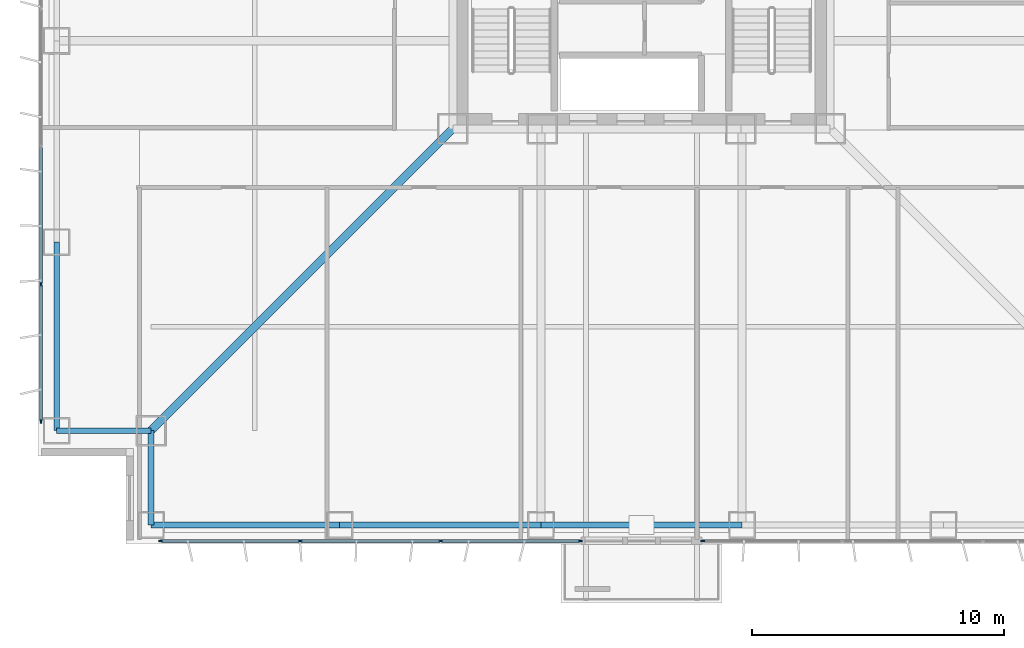
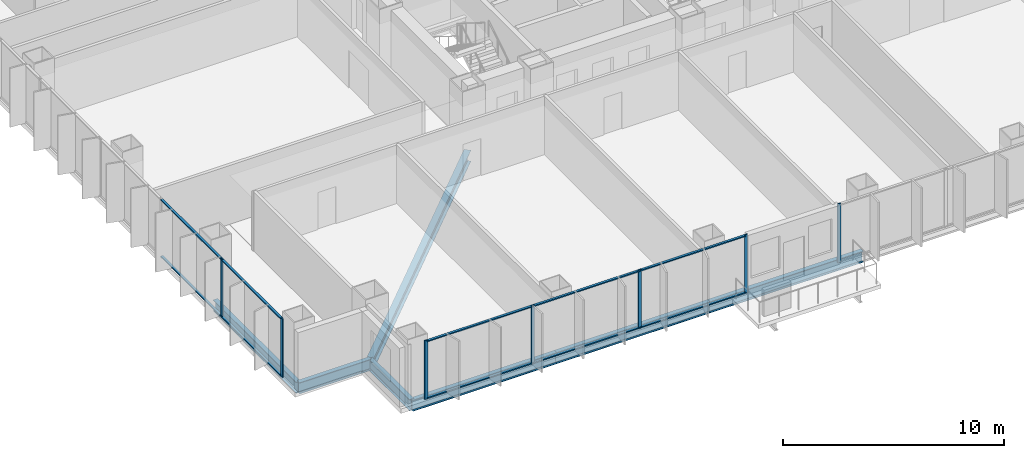
# One storey, part 2 of 21: 17 members, 7 beams, 3 elements without a shape of their own.
"""IFC4 building model written with IfcOpenShell, lengths in metres."""

from ifc_helpers import new_model, si_unit, direction, frame, origin, origin_2d, place, context, subcontext, project, spatial, rectangle, i_section, extrude, material, layer, layer_set, material_profile, profile_set, type_object, element, aggregate, save


model = new_model("IFC4")

# Units and contexts
model_context = context("Model", 3, precision=1e-05, world=origin(), true_north=direction((0.0, 1.0)))
body_context = subcontext(model_context, "Body", "Model", "MODEL_VIEW")
ifc_project = project(units=[si_unit("LENGTHUNIT", "METRE"), si_unit("AREAUNIT", "SQUARE_METRE"), si_unit("VOLUMEUNIT", "CUBIC_METRE"), si_unit("PLANEANGLEUNIT", "RADIAN"), si_unit("MASSUNIT", "GRAM", prefix="KILO")], contexts=[model_context])

# Site, building, storey
site_placement = place(None, origin())
site = spatial("IfcSite", under=ifc_project, at=site_placement, CompositionType="ELEMENT")
building_placement = place(site_placement, origin())
building = spatial("IfcBuilding", under=site, at=building_placement, Name="Trevonay Congress Spire", CompositionType="ELEMENT")
storey_placement = place(building_placement, frame((0.0, 0.0, 37.5)))
storey = spatial("IfcBuildingStorey", under=building, at=storey_placement, Name="L08", CompositionType="ELEMENT", Elevation=37.5)

# Beams
ifc_material_1 = material(Name="Steel ASTM A572 Grade 50", Category="steel")
ifc_material_profile_1 = material_profile(ifc_material_1, i_section(OverallWidth=0.324951171875, OverallDepth=0.615966796875, WebThickness=0.013916015625, FlangeThickness=0.021484375, FilletRadius=0.01806640625, at=origin_2d()), Name="W610x174")
ifc_profile_set_1 = profile_set([ifc_material_profile_1], Name="Steel ASTM A572 Grade 50")
beam_type_1 = type_object("IfcBeamType", Name="BM-GIRD-W610X174", PredefinedType="BEAM", material=ifc_profile_set_1)
beam_placement = place(storey_placement, frame((-7.5, -7.5, -0.55810546875), z_axis=(-0.707106781187, -0.707106781187, 0.0), x_axis=(0.707106781187, -0.707106781187, 0.0)))
element("IfcBeam", 1, at=beam_placement, inside=storey, type_object=beam_type_1, Name="L08 structural beam BM-L08-CDSW", PredefinedType="BEAM", context=body_context, shape_type="SweptSolid", body=[
    extrude(i_section(OverallWidth=0.324951171875, OverallDepth=0.615966796875, WebThickness=0.013916015625, FlangeThickness=0.021484375, FilletRadius=0.01806640625, at=origin_2d()), origin(), (0.0, 0.0, 1.0), 16.970458984375),
])
ifc_material_profile_2 = material_profile(ifc_material_1, i_section(OverallWidth=0.22998046875, OverallDepth=0.616943359375, WebThickness=0.01318359375, FlangeThickness=0.022216796875, FilletRadius=0.01611328125, at=origin_2d()), Name="W610x140")
ifc_profile_set_2 = profile_set([ifc_material_profile_2], Name="Steel ASTM A572 Grade 50")
beam_type_2 = type_object("IfcBeamType", Name="BM-RING-W610X140", PredefinedType="BEAM", material=ifc_profile_set_2)
for number, where, z_axis, x_axis, name in (
    (2, (-19.5, -23.25, -0.55859375), (1.0, 0.0, 0.0), (0.0, 1.0, 0.0), "L08 structural beam BM-L08-PS1"),
    (3, (-23.25, -19.5, -0.55859375), (0.0, 1.0, 0.0), (-1.0, 0.0, 0.0), "L08 structural beam BM-L08-PW1"),
):
    element("IfcBeam", number, at=place(storey_placement, frame(where, z_axis=z_axis, x_axis=x_axis)), inside=storey, type_object=beam_type_2, Name=name, PredefinedType="BEAM", context=body_context, shape_type="SweptSolid", body=[
        extrude(i_section(OverallWidth=0.22998046875, OverallDepth=0.616943359375, WebThickness=0.01318359375, FlangeThickness=0.022216796875, FilletRadius=0.01611328125, at=origin_2d()), origin(), (0.0, 0.0, 1.0), 7.5),
    ])
for number, where, z_axis, x_axis, name in (
    (4, (-12.0, -23.25, -0.55859375), (1.0, 0.0, 0.0), (0.0, 1.0, 0.0), "L08 structural beam BM-L08-PS2"),
    (5, (-4.0, -23.25, -0.55859375), (1.0, 0.0, 0.0), (0.0, 1.0, 0.0), "L08 structural beam BM-L08-PS3"),
):
    element("IfcBeam", number, at=place(storey_placement, frame(where, z_axis=z_axis, x_axis=x_axis)), inside=storey, type_object=beam_type_2, Name=name, PredefinedType="BEAM", context=body_context, shape_type="SweptSolid", body=[
        extrude(i_section(OverallWidth=0.22998046875, OverallDepth=0.616943359375, WebThickness=0.01318359375, FlangeThickness=0.022216796875, FilletRadius=0.01611328125, at=origin_2d()), origin(), (0.0, 0.0, 1.0), 8.0),
    ])
for number, where, z_axis, x_axis, name in (
    (6, (-19.5, -23.25, -0.55859375), (0.0, 1.0, 0.0), (-1.0, 0.0, 0.0), "L08 structural beam BM-L08-N1SW"),
    (7, (-23.25, -19.5, -0.55859375), (1.0, 0.0, 0.0), (0.0, 1.0, 0.0), "L08 structural beam BM-L08-N2SW"),
):
    element("IfcBeam", number, at=place(storey_placement, frame(where, z_axis=z_axis, x_axis=x_axis)), inside=storey, type_object=beam_type_2, Name=name, PredefinedType="BEAM", context=body_context, shape_type="SweptSolid", body=[
        extrude(i_section(OverallWidth=0.22998046875, OverallDepth=0.616943359375, WebThickness=0.01318359375, FlangeThickness=0.022216796875, FilletRadius=0.01611328125, at=origin_2d()), origin(), (0.0, 0.0, 1.0), 3.75),
    ])

# Curtain wall, members
ifc_material_2 = material(Name="Pale Anodised Aluminium EN AW-6063-T6", Category="aluminium")
ifc_layer = layer(ifc_material_2, 0.179931640625, Name="Pale Anodised Aluminium EN AW-6063-T6")
ifc_layer_set = layer_set([ifc_layer], Name="Pale Anodised Aluminium EN AW-6063-T6")
curtain_wall_type = type_object("IfcCurtainWallType", Name="CW-SYS02-HOTEL-PALE-METAL", PredefinedType="NOTDEFINED", material=ifc_layer_set)
curtain_wall_1_placement = place(storey_placement, origin())
curtain_wall_1 = element("IfcCurtainWall", 8, at=curtain_wall_1_placement, inside=storey, type_object=curtain_wall_type, Name="L08 SA unitised curtain wall", PredefinedType="NOTDEFINED")
ifc_material_profile_3 = material_profile(ifc_material_2, rectangle(XDim=0.06005859375, YDim=0.159912109375, at=origin_2d()), Name="CW-MULLION-160-ALUMINIUM")
ifc_profile_set_3 = profile_set([ifc_material_profile_3], Name="Pale Anodised Aluminium EN AW-6063-T6")
member_type_1 = type_object("IfcMemberType", Name="CW-MULLION-160-ALUMINIUM", PredefinedType="MULLION", material=ifc_profile_set_3)
member_1_placement = place(storey_placement, frame((-19.1201171875, -23.8798828125, 0.0), z_axis=(0.0, 0.0, 1.0), x_axis=(0.0, 1.0, 0.0)))
member_1 = element("IfcMember", 9, at=member_1_placement, type_object=member_type_1, Name="CW02 mullion 1", PredefinedType="MULLION", context=body_context, shape_type="SweptSolid", body=[
    extrude(rectangle(XDim=0.06005859375, YDim=0.159912109375, at=origin_2d()), origin(), (0.0, 0.0, 1.0), 3.25),
])
member_2_placement = place(storey_placement, frame((-13.566650390625, -23.8798828125, 0.0), z_axis=(0.0, 0.0, 1.0), x_axis=(0.0, 1.0, 0.0)))
member_2 = element("IfcMember", 10, at=member_2_placement, type_object=member_type_1, Name="CW02 mullion 2", PredefinedType="MULLION", context=body_context, shape_type="SweptSolid", body=[
    extrude(rectangle(XDim=0.06005859375, YDim=0.159912109375, at=origin_2d()), origin(), (0.0, 0.0, 1.0), 3.25),
])
member_3_placement = place(storey_placement, frame((-7.9833984375, -23.8798828125, 0.0), z_axis=(0.0, 0.0, 1.0), x_axis=(0.0, 1.0, 0.0)))
member_3 = element("IfcMember", 11, at=member_3_placement, type_object=member_type_1, Name="CW02 mullion 3", PredefinedType="MULLION", context=body_context, shape_type="SweptSolid", body=[
    extrude(rectangle(XDim=0.06005859375, YDim=0.159912109375, at=origin_2d()), origin(), (0.0, 0.0, 1.0), 3.25),
])
member_4_placement = place(storey_placement, frame((-2.429931640625, -23.8798828125, 0.0), z_axis=(0.0, 0.0, 1.0), x_axis=(0.0, 1.0, 0.0)))
member_4 = element("IfcMember", 12, at=member_4_placement, type_object=member_type_1, Name="CW02 mullion 4", PredefinedType="MULLION", context=body_context, shape_type="SweptSolid", body=[
    extrude(rectangle(XDim=0.06005859375, YDim=0.159912109375, at=origin_2d()), origin(), (0.0, 0.0, 1.0), 3.25),
])

# Curtain wall, member
curtain_wall_2_placement = place(storey_placement, origin())
curtain_wall_2 = element("IfcCurtainWall", 13, at=curtain_wall_2_placement, inside=storey, type_object=curtain_wall_type, Name="L08 SB unitised curtain wall", PredefinedType="NOTDEFINED")
member_5_placement = place(storey_placement, frame((2.429931640625, -23.8798828125, 0.0), z_axis=(0.0, 0.0, 1.0), x_axis=(0.0, 1.0, 0.0)))
member_5 = element("IfcMember", 14, at=member_5_placement, type_object=member_type_1, Name="CW02 mullion 1", PredefinedType="MULLION", context=body_context, shape_type="SweptSolid", body=[
    extrude(rectangle(XDim=0.06005859375, YDim=0.159912109375, at=origin_2d()), origin(), (0.0, 0.0, 1.0), 3.25),
])
aggregate(curtain_wall_2, [member_5])

# Curtain wall, members
curtain_wall_3_placement = place(storey_placement, origin())
curtain_wall_3 = element("IfcCurtainWall", 15, at=curtain_wall_3_placement, inside=storey, type_object=curtain_wall_type, Name="L08 W unitised curtain wall", PredefinedType="NOTDEFINED")
member_6_placement = place(storey_placement, frame((-23.8798828125, -19.1201171875, 0.0), z_axis=(0.0, 0.0, 1.0), x_axis=(-1.0, 0.0, 0.0)))
member_6 = element("IfcMember", 16, at=member_6_placement, type_object=member_type_1, Name="CW02 mullion 1", PredefinedType="MULLION", context=body_context, shape_type="SweptSolid", body=[
    extrude(rectangle(XDim=0.06005859375, YDim=0.159912109375, at=origin_2d()), origin(), (0.0, 0.0, 1.0), 3.25),
])
member_7_placement = place(storey_placement, frame((-23.8798828125, -13.678466796875, 0.0), z_axis=(0.0, 0.0, 1.0), x_axis=(-1.0, 0.0, 0.0)))
member_7 = element("IfcMember", 17, at=member_7_placement, type_object=member_type_1, Name="CW02 mullion 2", PredefinedType="MULLION", context=body_context, shape_type="SweptSolid", body=[
    extrude(rectangle(XDim=0.06005859375, YDim=0.159912109375, at=origin_2d()), origin(), (0.0, 0.0, 1.0), 3.25),
])

# Member
ifc_material_profile_4 = material_profile(ifc_material_2, rectangle(XDim=0.1201171875, YDim=0.06005859375, at=origin_2d()), Name="CW-TRANSOM-120-ALUMINIUM")
ifc_profile_set_4 = profile_set([ifc_material_profile_4], Name="Pale Anodised Aluminium EN AW-6063-T6")
member_type_2 = type_object("IfcMemberType", Name="CW-TRANSOM-120-ALUMINIUM", PredefinedType="USERDEFINED", material=ifc_profile_set_4)
member_8_placement = place(storey_placement, frame((-19.090087890625, -23.8798828125, 0.06005859375), z_axis=(1.0, 0.0, 0.0), x_axis=(0.0, 1.0, 0.0)))
member_8 = element("IfcMember", 18, at=member_8_placement, type_object=member_type_2, Name="CW02 transom 1.1", ObjectType="TRANSOM", PredefinedType="USERDEFINED", context=body_context, shape_type="SweptSolid", body=[
    extrude(rectangle(XDim=0.1201171875, YDim=0.06005859375, at=origin_2d()), origin(), (0.0, 0.0, 1.0), 5.493408203125),
])

member_9_placement = place(storey_placement, frame((-19.090087890625, -23.8798828125, 3.18994140625), z_axis=(1.0, 0.0, 0.0), x_axis=(0.0, 1.0, 0.0)))
member_9 = element("IfcMember", 19, at=member_9_placement, type_object=member_type_2, Name="CW02 transom 1.2", ObjectType="TRANSOM", PredefinedType="USERDEFINED", context=body_context, shape_type="SweptSolid", body=[
    extrude(rectangle(XDim=0.1201171875, YDim=0.06005859375, at=origin_2d()), origin(), (0.0, 0.0, 1.0), 5.493408203125),
])

member_10_placement = place(storey_placement, frame((-13.53662109375, -23.8798828125, 0.06005859375), z_axis=(1.0, 0.0, 0.0), x_axis=(0.0, 1.0, 0.0)))
member_10 = element("IfcMember", 20, at=member_10_placement, type_object=member_type_2, Name="CW02 transom 2.1", ObjectType="TRANSOM", PredefinedType="USERDEFINED", context=body_context, shape_type="SweptSolid", body=[
    extrude(rectangle(XDim=0.1201171875, YDim=0.06005859375, at=origin_2d()), origin(), (0.0, 0.0, 1.0), 5.523193359375),
])

member_11_placement = place(storey_placement, frame((-13.53662109375, -23.8798828125, 3.18994140625), z_axis=(1.0, 0.0, 0.0), x_axis=(0.0, 1.0, 0.0)))
member_11 = element("IfcMember", 21, at=member_11_placement, type_object=member_type_2, Name="CW02 transom 2.2", ObjectType="TRANSOM", PredefinedType="USERDEFINED", context=body_context, shape_type="SweptSolid", body=[
    extrude(rectangle(XDim=0.1201171875, YDim=0.06005859375, at=origin_2d()), origin(), (0.0, 0.0, 1.0), 5.523193359375),
])

member_12_placement = place(storey_placement, frame((-7.953369140625, -23.8798828125, 0.06005859375), z_axis=(1.0, 0.0, 0.0), x_axis=(0.0, 1.0, 0.0)))
member_12 = element("IfcMember", 22, at=member_12_placement, type_object=member_type_2, Name="CW02 transom 3.1", ObjectType="TRANSOM", PredefinedType="USERDEFINED", context=body_context, shape_type="SweptSolid", body=[
    extrude(rectangle(XDim=0.1201171875, YDim=0.06005859375, at=origin_2d()), origin(), (0.0, 0.0, 1.0), 5.493408203125),
])

member_13_placement = place(storey_placement, frame((-7.953369140625, -23.8798828125, 3.18994140625), z_axis=(1.0, 0.0, 0.0), x_axis=(0.0, 1.0, 0.0)))
member_13 = element("IfcMember", 23, at=member_13_placement, type_object=member_type_2, Name="CW02 transom 3.2", ObjectType="TRANSOM", PredefinedType="USERDEFINED", context=body_context, shape_type="SweptSolid", body=[
    extrude(rectangle(XDim=0.1201171875, YDim=0.06005859375, at=origin_2d()), origin(), (0.0, 0.0, 1.0), 5.493408203125),
])

aggregate(curtain_wall_1, [member_1, member_2, member_3, member_4, member_8, member_9, member_10, member_11, member_12, member_13])

member_14_placement = place(storey_placement, frame((-23.8798828125, -19.090087890625, 0.06005859375), z_axis=(0.0, 1.0, 0.0), x_axis=(-1.0, 0.0, 0.0)))
member_14 = element("IfcMember", 24, at=member_14_placement, type_object=member_type_2, Name="CW02 transom 1.1", ObjectType="TRANSOM", PredefinedType="USERDEFINED", context=body_context, shape_type="SweptSolid", body=[
    extrude(rectangle(XDim=0.1201171875, YDim=0.06005859375, at=origin_2d()), origin(), (0.0, 0.0, 1.0), 5.381591796875),
])

member_15_placement = place(storey_placement, frame((-23.8798828125, -19.090087890625, 3.18994140625), z_axis=(0.0, 1.0, 0.0), x_axis=(-1.0, 0.0, 0.0)))
member_15 = element("IfcMember", 25, at=member_15_placement, type_object=member_type_2, Name="CW02 transom 1.2", ObjectType="TRANSOM", PredefinedType="USERDEFINED", context=body_context, shape_type="SweptSolid", body=[
    extrude(rectangle(XDim=0.1201171875, YDim=0.06005859375, at=origin_2d()), origin(), (0.0, 0.0, 1.0), 5.381591796875),
])

member_16_placement = place(storey_placement, frame((-23.8798828125, -13.648681640625, 0.06005859375), z_axis=(0.0, 1.0, 0.0), x_axis=(-1.0, 0.0, 0.0)))
member_16 = element("IfcMember", 26, at=member_16_placement, type_object=member_type_2, Name="CW02 transom 2.1", ObjectType="TRANSOM", PredefinedType="USERDEFINED", context=body_context, shape_type="SweptSolid", body=[
    extrude(rectangle(XDim=0.1201171875, YDim=0.06005859375, at=origin_2d()), origin(), (0.0, 0.0, 1.0), 5.41162109375),
])

member_17_placement = place(storey_placement, frame((-23.8798828125, -13.648681640625, 3.18994140625), z_axis=(0.0, 1.0, 0.0), x_axis=(-1.0, 0.0, 0.0)))
member_17 = element("IfcMember", 27, at=member_17_placement, type_object=member_type_2, Name="CW02 transom 2.2", ObjectType="TRANSOM", PredefinedType="USERDEFINED", context=body_context, shape_type="SweptSolid", body=[
    extrude(rectangle(XDim=0.1201171875, YDim=0.06005859375, at=origin_2d()), origin(), (0.0, 0.0, 1.0), 5.41162109375),
])

aggregate(curtain_wall_3, [member_6, member_7, member_14, member_15, member_16, member_17])

save(model, "model.ifc")
